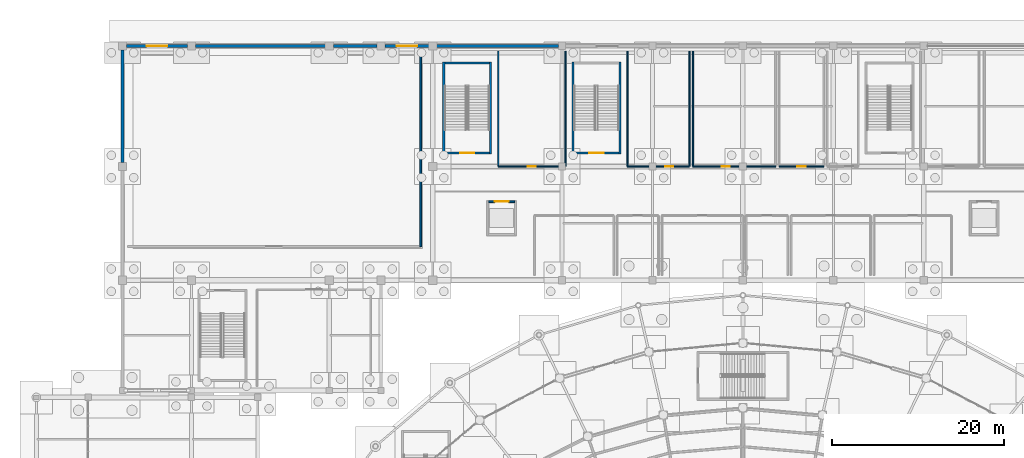
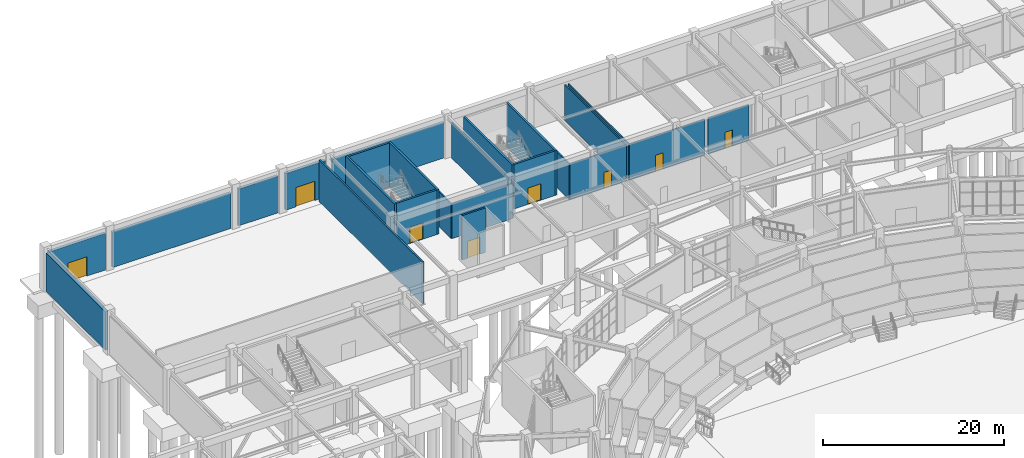
# One storey, part 93 of 121: 24 walls, 9 doors, 9 openings.
"""IFC4 building model written with IfcOpenShell, lengths in metres."""

from ifc_helpers import new_model, si_unit, direction, frame, frame_2d, origin, place, context, subcontext, project, spatial, rectangle, extrude, material, layer, layer_set, type_object, element, fill, save


model = new_model("IFC4")

# Units and contexts
model_context = context("Model", 3, precision=1e-05, world=origin(), true_north=direction((0.0, 1.0)))
body_context = subcontext(model_context, "Body", "Model", "MODEL_VIEW")
ifc_project = project(units=[si_unit("LENGTHUNIT", "METRE"), si_unit("AREAUNIT", "SQUARE_METRE"), si_unit("VOLUMEUNIT", "CUBIC_METRE"), si_unit("PLANEANGLEUNIT", "RADIAN"), si_unit("MASSUNIT", "GRAM", prefix="KILO")], contexts=[model_context])

# Site, building, storey
site_placement = place(None, origin())
site = spatial("IfcSite", under=ifc_project, at=site_placement, CompositionType="ELEMENT")
building_placement = place(site_placement, origin())
building = spatial("IfcBuilding", under=site, at=building_placement, Name="Cuetzalor Civic Arena", CompositionType="ELEMENT")
storey_placement = place(building_placement, origin())
storey = spatial("IfcBuildingStorey", under=building, at=storey_placement, Name="L00", CompositionType="ELEMENT", Elevation=0.0)

# Wall, opening, door
ifc_material_1 = material(Name="Acoustic steel-stud gypsum partition", Category="steel")
ifc_layer_1 = layer(ifc_material_1, 0.14990234375)
ifc_layer_set_1 = layer_set([ifc_layer_1], Name="Acoustic steel-stud gypsum partition")
wall_type_1 = type_object("IfcWallType", Name="AcousticGypsumPartition_150", PredefinedType="PARTITIONING", material=ifc_layer_set_1)
wall_1_placement = place(storey_placement, frame((-20.60009765625, 61.5, 0.0), z_axis=(0.0, 0.0, 1.0), x_axis=(-1.0, 0.0, 0.0)))
wall_1 = element("IfcWall", 1, at=wall_1_placement, inside=storey, type_object=wall_type_1, Name="Interior Partition IWALL:L00:0134", PredefinedType="PARTITIONING", context=body_context, shape_type="SweptSolid", body=[
    extrude(rectangle(XDim=7.7998046875, YDim=0.14990234375, at=frame_2d((3.89990234375, 0.0))), origin(), (0.0, 0.0, 1.0), 4.72509765625),
])
opening_1_placement = place(wall_1_placement, frame((3.425048828125, 0.0, 0.0)))
opening_1 = element("IfcOpeningElement", 2, at=opening_1_placement, cuts=wall_1, Name="Opening ID-03", PredefinedType="OPENING", context=body_context, shape_type="SweptSolid", body=[
    extrude(rectangle(XDim=0.949951171875, YDim=2.14990234375, at=frame_2d((0.47509765625, 1.074951171875))), frame((0.0, 0.0849609375, 0.0), z_axis=(0.0, -1.0, 0.0), x_axis=(1.0, 0.0, 0.0)), (0.0, 0.0, 1.0), 0.169921875),
])
ifc_material_2 = material(Name="Painted steel frame and solid timber leaf", Category="steel")
door_type_1 = type_object("IfcDoorType", Name="InteriorSingleDoor_950x2150", OperationType="NOTDEFINED", PredefinedType="DOOR", material=ifc_material_2)
door_1_placement = place(opening_1_placement, origin())
door_1 = element("IfcDoor", 3, at=door_1_placement, inside=storey, type_object=door_type_1, Name="Door to Athlete Locker Room Home", OperationType="SINGLE_SWING_RIGHT", OverallHeight=2.14990234375, OverallWidth=0.949951171875, PredefinedType="DOOR", context=body_context, shape_type="SweptSolid", body=[
    extrude(rectangle(XDim=0.949951171875, YDim=2.14990234375, at=frame_2d((0.47509765625, 1.074951171875))), frame((0.0, 0.02490234375, 0.0), z_axis=(0.0, -1.0, 0.0), x_axis=(1.0, 0.0, 0.0)), (0.0, 0.0, 1.0), 0.050048828125),
])
fill(opening_1, door_1)

# Walls
wall_2_placement = place(storey_placement, frame((-20.60009765625, 74.89990234375, 0.0), z_axis=(0.0, 0.0, 1.0), x_axis=(0.0, -1.0, 0.0)))
element("IfcWall", 4, at=wall_2_placement, inside=storey, type_object=wall_type_1, Name="Interior Partition IWALL:L00:0135", PredefinedType="PARTITIONING", context=body_context, shape_type="SweptSolid", body=[
    extrude(rectangle(XDim=13.39990234375, YDim=0.14990234375, at=frame_2d((6.699951171875, 0.0))), origin(), (0.0, 0.0, 1.0), 4.824951171875),
])
wall_3_placement = place(storey_placement, frame((-28.39990234375, 61.5, 0.0), z_axis=(0.0, 0.0, 1.0), x_axis=(0.0, 1.0, 0.0)))
element("IfcWall", 5, at=wall_3_placement, inside=storey, type_object=wall_type_1, Name="Interior Partition IWALL:L00:0136", PredefinedType="PARTITIONING", context=body_context, shape_type="SweptSolid", body=[
    extrude(rectangle(XDim=13.39990234375, YDim=0.14990234375, at=frame_2d((6.699951171875, 0.0))), origin(), (0.0, 0.0, 1.0), 4.72509765625),
])

# Wall, opening, door
wall_4_placement = place(storey_placement, frame((-6.199951171875, 61.5, 0.0), z_axis=(0.0, 0.0, 1.0), x_axis=(-1.0, 0.0, 0.0)))
wall_4 = element("IfcWall", 6, at=wall_4_placement, inside=storey, type_object=wall_type_1, Name="Interior Partition IWALL:L00:0137", PredefinedType="PARTITIONING", context=body_context, shape_type="SweptSolid", body=[
    extrude(rectangle(XDim=7.199951171875, YDim=0.14990234375, at=frame_2d((3.60009765625, 0.0))), origin(), (0.0, 0.0, 1.0), 4.824951171875),
])
opening_2_placement = place(wall_4_placement, frame((1.875, 0.0, 0.0)))
opening_2 = element("IfcOpeningElement", 7, at=opening_2_placement, cuts=wall_4, Name="Opening ID-03", PredefinedType="OPENING", context=body_context, shape_type="SweptSolid", body=[
    extrude(rectangle(XDim=0.949951171875, YDim=2.14990234375, at=frame_2d((0.47509765625, 1.074951171875))), frame((0.0, 0.0849609375, 0.0), z_axis=(0.0, -1.0, 0.0), x_axis=(1.0, 0.0, 0.0)), (0.0, 0.0, 1.0), 0.169921875),
])
door_2_placement = place(opening_2_placement, origin())
door_2 = element("IfcDoor", 8, at=door_2_placement, inside=storey, type_object=door_type_1, Name="Door to Athlete Shower and WC Home", OperationType="SINGLE_SWING_LEFT", OverallHeight=2.14990234375, OverallWidth=0.949951171875, PredefinedType="DOOR", context=body_context, shape_type="SweptSolid", body=[
    extrude(rectangle(XDim=0.949951171875, YDim=2.14990234375, at=frame_2d((0.47509765625, 1.074951171875))), frame((0.0, 0.02490234375, 0.0), z_axis=(0.0, -1.0, 0.0), x_axis=(1.0, 0.0, 0.0)), (0.0, 0.0, 1.0), 0.050048828125),
])
fill(opening_2, door_2)

# Walls
for number, where, z_axis, x_axis, name in (
    (9, (-6.199951171875, 74.89990234375, 0.0), (0.0, 0.0, 1.0), (0.0, -1.0, 0.0), "Interior Partition IWALL:L00:0138"),
    (10, (-13.39990234375, 61.5, 0.0), (0.0, 0.0, 1.0), (0.0, 1.0, 0.0), "Interior Partition IWALL:L00:0139"),
):
    element("IfcWall", number, at=place(storey_placement, frame(where, z_axis=z_axis, x_axis=x_axis)), inside=storey, type_object=wall_type_1, Name=name, PredefinedType="PARTITIONING", context=body_context, shape_type="SweptSolid", body=[
        extrude(rectangle(XDim=13.39990234375, YDim=0.14990234375, at=frame_2d((6.699951171875, 0.0))), origin(), (0.0, 0.0, 1.0), 4.824951171875),
    ])

# Wall, opening, door
wall_5_placement = place(storey_placement, frame((3.800048828125, 61.5, 0.0), z_axis=(0.0, 0.0, 1.0), x_axis=(-1.0, 0.0, 0.0)))
wall_5 = element("IfcWall", 11, at=wall_5_placement, inside=storey, type_object=wall_type_1, Name="Interior Partition IWALL:L00:0140", PredefinedType="PARTITIONING", context=body_context, shape_type="SweptSolid", body=[
    extrude(rectangle(XDim=9.60009765625, YDim=0.14990234375, at=frame_2d((4.800048828125, 0.0))), origin(), (0.0, 0.0, 1.0), 4.824951171875),
])
opening_3_placement = place(wall_5_placement, frame((5.324951171875, 0.0, 0.0)))
opening_3 = element("IfcOpeningElement", 12, at=opening_3_placement, cuts=wall_5, Name="Opening ID-03", PredefinedType="OPENING", context=body_context, shape_type="SweptSolid", body=[
    extrude(rectangle(XDim=0.949951171875, YDim=2.14990234375, at=frame_2d((0.47509765625, 1.074951171875))), frame((0.0, 0.0849609375, 0.0), z_axis=(0.0, -1.0, 0.0), x_axis=(1.0, 0.0, 0.0)), (0.0, 0.0, 1.0), 0.169921875),
])
door_3_placement = place(opening_3_placement, origin())
door_3 = element("IfcDoor", 13, at=door_3_placement, inside=storey, type_object=door_type_1, Name="Door to Athlete Locker Room Away", OperationType="SINGLE_SWING_RIGHT", OverallHeight=2.14990234375, OverallWidth=0.949951171875, PredefinedType="DOOR", context=body_context, shape_type="SweptSolid", body=[
    extrude(rectangle(XDim=0.949951171875, YDim=2.14990234375, at=frame_2d((0.47509765625, 1.074951171875))), frame((0.0, 0.02490234375, 0.0), z_axis=(0.0, -1.0, 0.0), x_axis=(1.0, 0.0, 0.0)), (0.0, 0.0, 1.0), 0.050048828125),
])
fill(opening_3, door_3)

# Wall
wall_6_placement = place(storey_placement, frame((-5.800048828125, 61.5, 0.0), z_axis=(0.0, 0.0, 1.0), x_axis=(0.0, 1.0, 0.0)))
element("IfcWall", 14, at=wall_6_placement, inside=storey, type_object=wall_type_1, Name="Interior Partition IWALL:L00:0142", PredefinedType="PARTITIONING", context=body_context, shape_type="SweptSolid", body=[
    extrude(rectangle(XDim=13.39990234375, YDim=0.14990234375, at=frame_2d((6.699951171875, 0.0))), origin(), (0.0, 0.0, 1.0), 4.824951171875),
])

# Wall, opening, door
wall_7_placement = place(storey_placement, frame((9.39990234375, 61.5, 0.0), z_axis=(0.0, 0.0, 1.0), x_axis=(-1.0, 0.0, 0.0)))
wall_7 = element("IfcWall", 15, at=wall_7_placement, inside=storey, type_object=wall_type_1, Name="Interior Partition IWALL:L00:0143", PredefinedType="PARTITIONING", context=body_context, shape_type="SweptSolid", body=[
    extrude(rectangle(XDim=5.199951171875, YDim=0.14990234375, at=frame_2d((2.60009765625, 0.0))), origin(), (0.0, 0.0, 1.0), 4.824951171875),
])
opening_4_placement = place(wall_7_placement, frame((2.125, 0.0, 0.0)))
opening_4 = element("IfcOpeningElement", 16, at=opening_4_placement, cuts=wall_7, Name="Opening ID-03", PredefinedType="OPENING", context=body_context, shape_type="SweptSolid", body=[
    extrude(rectangle(XDim=0.949951171875, YDim=2.14990234375, at=frame_2d((0.47509765625, 1.074951171875))), frame((0.0, 0.0849609375, 0.0), z_axis=(0.0, -1.0, 0.0), x_axis=(1.0, 0.0, 0.0)), (0.0, 0.0, 1.0), 0.169921875),
])
door_4_placement = place(opening_4_placement, origin())
door_4 = element("IfcDoor", 17, at=door_4_placement, inside=storey, type_object=door_type_1, Name="Door to Athlete Shower and WC Away", OperationType="SINGLE_SWING_LEFT", OverallHeight=2.14990234375, OverallWidth=0.949951171875, PredefinedType="DOOR", context=body_context, shape_type="SweptSolid", body=[
    extrude(rectangle(XDim=0.949951171875, YDim=2.14990234375, at=frame_2d((0.47509765625, 1.074951171875))), frame((0.0, 0.02490234375, 0.0), z_axis=(0.0, -1.0, 0.0), x_axis=(1.0, 0.0, 0.0)), (0.0, 0.0, 1.0), 0.050048828125),
])
fill(opening_4, door_4)

ifc_material_3 = material(Name="Dark volcanic basalt ashlar on Concrete C35/45", Category="masonry")
ifc_layer_2 = layer(ifc_material_3, 0.35009765625)
ifc_layer_set_2 = layer_set([ifc_layer_2], Name="Dark volcanic basalt ashlar on Concrete C35/45")
wall_type_2 = type_object("IfcWallType", Name="BasaltAshlarWall_350", PredefinedType="SOLIDWALL", material=ifc_layer_set_2)
wall_8_placement = place(storey_placement, frame((-71.54296875, 75.5, 0.0), z_axis=(0.0, 0.0, 1.0), x_axis=(1.0, 0.0, 0.0)))
wall_8 = element("IfcWall", 18, at=wall_8_placement, inside=storey, type_object=wall_type_2, Name="North Basalt Facade Wall L00-187", PredefinedType="SOLIDWALL", context=body_context, shape_type="SweptSolid", body=[
    extrude(rectangle(XDim=7.0859375, YDim=0.35009765625, at=frame_2d((3.54296875, 0.0))), origin(), (0.0, 0.0, 1.0), 4.93994140625),
])
opening_5_placement = place(wall_8_placement, frame((2.343017578125, 0.0, 0.0)))
opening_5 = element("IfcOpeningElement", 19, at=opening_5_placement, cuts=wall_8, Name="Opening ED-08", PredefinedType="OPENING", context=body_context, shape_type="SweptSolid", body=[
    extrude(rectangle(XDim=2.39990234375, YDim=2.60009765625, at=frame_2d((1.199951171875, 1.300048828125))), frame((0.0, 0.18505859375, 0.0), z_axis=(0.0, -1.0, 0.0), x_axis=(1.0, 0.0, 0.0)), (0.0, 0.0, 1.0), 0.3701171875),
])
ifc_material_4 = material(Name="Thermally broken bronze steel and laminated glass", Category="steel")
door_type_2 = type_object("IfcDoorType", Name="PedestrianExitPortal_2400x2600", OperationType="DOUBLE_DOOR_SINGLE_SWING", PredefinedType="DOOR", material=ifc_material_4)
door_5_placement = place(opening_5_placement, origin())
door_5 = element("IfcDoor", 20, at=door_5_placement, inside=storey, type_object=door_type_2, Name="Main entrance E17", OperationType="DOUBLE_DOOR_SINGLE_SWING", OverallHeight=2.60009765625, OverallWidth=2.39990234375, PredefinedType="DOOR", context=body_context, shape_type="SweptSolid", body=[
    extrude(rectangle(XDim=2.39990234375, YDim=2.60009765625, at=frame_2d((1.199951171875, 1.300048828125))), frame((0.0, 0.02490234375, 0.0), z_axis=(0.0, -1.0, 0.0), x_axis=(1.0, 0.0, 0.0)), (0.0, 0.0, 1.0), 0.050048828125),
])
fill(opening_5, door_5)

# Walls
wall_9_placement = place(storey_placement, frame((-63.54296875, 75.5, 0.0), z_axis=(0.0, 0.0, 1.0), x_axis=(1.0, 0.0, 0.0)))
element("IfcWall", 21, at=wall_9_placement, inside=storey, type_object=wall_type_2, Name="North Basalt Facade Wall L00-188", PredefinedType="SOLIDWALL", context=body_context, shape_type="SweptSolid", body=[
    extrude(rectangle(XDim=15.0859375, YDim=0.35009765625, at=frame_2d((7.54296875, 0.0))), origin(), (0.0, 0.0, 1.0), 4.739990234375),
])
wall_10_placement = place(storey_placement, frame((-47.54296875, 75.5, 0.0), z_axis=(0.0, 0.0, 1.0), x_axis=(1.0, 0.0, 0.0)))
element("IfcWall", 22, at=wall_10_placement, inside=storey, type_object=wall_type_2, Name="North Basalt Facade Wall L00-189", PredefinedType="SOLIDWALL", context=body_context, shape_type="SweptSolid", body=[
    extrude(rectangle(XDim=5.0859375, YDim=0.35009765625, at=frame_2d((2.54296875, 0.0))), origin(), (0.0, 0.0, 1.0), 4.93994140625),
])

# Wall, opening, door
wall_11_placement = place(storey_placement, frame((-41.54296875, 75.5, 0.0), z_axis=(0.0, 0.0, 1.0), x_axis=(1.0, 0.0, 0.0)))
wall_11 = element("IfcWall", 23, at=wall_11_placement, inside=storey, type_object=wall_type_2, Name="North Basalt Facade Wall L00-190", PredefinedType="SOLIDWALL", context=body_context, shape_type="SweptSolid", body=[
    extrude(rectangle(XDim=5.0859375, YDim=0.35009765625, at=frame_2d((2.54296875, 0.0))), origin(), (0.0, 0.0, 1.0), 4.93994140625),
])
opening_6_placement = place(wall_11_placement, frame((1.343017578125, 0.0, 0.0)))
opening_6 = element("IfcOpeningElement", 24, at=opening_6_placement, cuts=wall_11, Name="Opening ED-08", PredefinedType="OPENING", context=body_context, shape_type="SweptSolid", body=[
    extrude(rectangle(XDim=2.39990234375, YDim=2.60009765625, at=frame_2d((1.199951171875, 1.300048828125))), frame((0.0, 0.18505859375, 0.0), z_axis=(0.0, -1.0, 0.0), x_axis=(1.0, 0.0, 0.0)), (0.0, 0.0, 1.0), 0.3701171875),
])
door_6_placement = place(opening_6_placement, origin())
door_6 = element("IfcDoor", 25, at=door_6_placement, inside=storey, type_object=door_type_2, Name="Main entrance E18", OperationType="DOUBLE_DOOR_SINGLE_SWING", OverallHeight=2.60009765625, OverallWidth=2.39990234375, PredefinedType="DOOR", context=body_context, shape_type="SweptSolid", body=[
    extrude(rectangle(XDim=2.39990234375, YDim=2.60009765625, at=frame_2d((1.199951171875, 1.300048828125))), frame((0.0, 0.02490234375, 0.0), z_axis=(0.0, -1.0, 0.0), x_axis=(1.0, 0.0, 0.0)), (0.0, 0.0, 1.0), 0.050048828125),
])
fill(opening_6, door_6)

# Walls
wall_12_placement = place(storey_placement, frame((-35.54296875, 75.5, 0.0), z_axis=(0.0, 0.0, 1.0), x_axis=(1.0, 0.0, 0.0)))
element("IfcWall", 26, at=wall_12_placement, inside=storey, type_object=wall_type_2, Name="North Basalt Facade Wall L00-191", PredefinedType="SOLIDWALL", context=body_context, shape_type="SweptSolid", body=[
    extrude(rectangle(XDim=14.135986328125, YDim=0.35009765625, at=frame_2d((7.06787109375, 0.0))), origin(), (0.0, 0.0, 1.0), 4.739990234375),
])
wall_13_placement = place(storey_placement, frame((-72.0, 61.95703125, 0.0), z_axis=(0.0, 0.0, 1.0), x_axis=(0.0, 1.0, 0.0)))
element("IfcWall", 27, at=wall_13_placement, inside=storey, type_object=wall_type_2, Name="North Wing West Basalt Wall L00-237", PredefinedType="SOLIDWALL", context=body_context, shape_type="SweptSolid", body=[
    extrude(rectangle(XDim=13.0859375, YDim=0.35009765625, at=frame_2d((6.54296875, 0.0))), origin(), (0.0, 0.0, 1.0), 5.156982421875),
])
ifc_material_5 = material(Name="Concrete C40/50", Category="concrete")
ifc_layer_3 = layer(ifc_material_5, 0.25)
ifc_layer_set_3 = layer_set([ifc_layer_3], Name="Concrete C40/50")
wall_type_3 = type_object("IfcWallType", Name="ConcreteCoreShearWall_250", PredefinedType="SHEAR", material=ifc_layer_set_3)
wall_14_placement = place(storey_placement, frame((-34.72509765625, 62.949951171875, 0.0), z_axis=(0.0, 0.0, 1.0), x_axis=(0.0, 1.0, 0.0)))
element("IfcWall", 28, at=wall_14_placement, inside=storey, type_object=wall_type_3, Name="Stair Core Shear Wall ST-24-L00-W", PredefinedType="SHEAR", context=body_context, shape_type="SweptSolid", body=[
    extrude(rectangle(XDim=10.699951171875, YDim=0.25, at=frame_2d((5.35009765625, 0.0))), origin(), (0.0, 0.0, 1.0), 6.0),
])
wall_15_placement = place(storey_placement, frame((-34.60009765625, 73.52490234375, 0.0), z_axis=(0.0, 0.0, 1.0), x_axis=(1.0, 0.0, 0.0)))
element("IfcWall", 29, at=wall_15_placement, inside=storey, type_object=wall_type_3, Name="Stair Core Shear Wall ST-24-L00-N", PredefinedType="SHEAR", context=body_context, shape_type="SweptSolid", body=[
    extrude(rectangle(XDim=5.2001953125, YDim=0.25, at=frame_2d((2.60009765625, 0.0))), origin(), (0.0, 0.0, 1.0), 6.0),
])
wall_16_placement = place(storey_placement, frame((-29.27490234375, 73.64990234375, 0.0), z_axis=(0.0, 0.0, 1.0), x_axis=(0.0, -1.0, 0.0)))
element("IfcWall", 30, at=wall_16_placement, inside=storey, type_object=wall_type_3, Name="Stair Core Shear Wall ST-24-L00-E", PredefinedType="SHEAR", context=body_context, shape_type="SweptSolid", body=[
    extrude(rectangle(XDim=10.699951171875, YDim=0.25, at=frame_2d((5.35009765625, 0.0))), origin(), (0.0, 0.0, 1.0), 6.0),
])

# Wall, opening, door
wall_17_placement = place(storey_placement, frame((-29.39990234375, 63.074951171875, 0.0), z_axis=(0.0, 0.0, 1.0), x_axis=(-1.0, 0.0, 0.0)))
wall_17 = element("IfcWall", 31, at=wall_17_placement, inside=storey, type_object=wall_type_3, Name="Stair Core Shear Wall ST-24-L00-S", PredefinedType="SHEAR", context=body_context, shape_type="SweptSolid", body=[
    extrude(rectangle(XDim=5.2001953125, YDim=0.25, at=frame_2d((2.60009765625, 0.0))), origin(), (0.0, 0.0, 1.0), 6.0),
])
opening_7_placement = place(wall_17_placement, frame((1.77490234375, 0.0, 0.0)))
opening_7 = element("IfcOpeningElement", 32, at=opening_7_placement, cuts=wall_17, Name="Opening FD-04", PredefinedType="OPENING", context=body_context, shape_type="SweptSolid", body=[
    extrude(rectangle(XDim=1.64990234375, YDim=2.199951171875, at=frame_2d((0.824951171875, 1.10009765625))), frame((0.0, 0.135009765625, 0.0), z_axis=(0.0, -1.0, 0.0), x_axis=(1.0, 0.0, 0.0)), (0.0, 0.0, 1.0), 0.27001953125),
])
ifc_material_6 = material(Name="Fire-rated steel stair exit double door", Category="steel")
door_type_3 = type_object("IfcDoorType", Name="StairFireDoubleDoor_1650x2200", OperationType="DOUBLE_DOOR_SINGLE_SWING", PredefinedType="DOOR", material=ifc_material_6)
door_7_placement = place(opening_7_placement, origin())
door_7 = element("IfcDoor", 33, at=door_7_placement, inside=storey, type_object=door_type_3, Name="Fire Stair Door ST-24 L00", OperationType="DOUBLE_DOOR_SINGLE_SWING", OverallHeight=2.199951171875, OverallWidth=1.64990234375, PredefinedType="DOOR", context=body_context, shape_type="SweptSolid", body=[
    extrude(rectangle(XDim=1.64990234375, YDim=2.199951171875, at=frame_2d((0.824951171875, 1.10009765625))), frame((0.0, 0.02490234375, 0.0), z_axis=(0.0, -1.0, 0.0), x_axis=(1.0, 0.0, 0.0)), (0.0, 0.0, 1.0), 0.050048828125),
])
fill(opening_7, door_7)

# Walls
for number, where, z_axis, x_axis, name in (
    (34, (-19.72509765625, 62.949951171875, 0.0), (0.0, 0.0, 1.0), (0.0, 1.0, 0.0), "Stair Core Shear Wall ST-25-L00-W"),
    (35, (-14.27490234375, 73.64990234375, 0.0), (0.0, 0.0, 1.0), (0.0, -1.0, 0.0), "Stair Core Shear Wall ST-25-L00-E"),
):
    element("IfcWall", number, at=place(storey_placement, frame(where, z_axis=z_axis, x_axis=x_axis)), inside=storey, type_object=wall_type_3, Name=name, PredefinedType="SHEAR", context=body_context, shape_type="SweptSolid", body=[
        extrude(rectangle(XDim=10.699951171875, YDim=0.25, at=frame_2d((5.35009765625, 0.0))), origin(), (0.0, 0.0, 1.0), 6.0),
    ])

# Wall, opening, door
wall_18_placement = place(storey_placement, frame((-14.39990234375, 63.074951171875, 0.0), z_axis=(0.0, 0.0, 1.0), x_axis=(-1.0, 0.0, 0.0)))
wall_18 = element("IfcWall", 36, at=wall_18_placement, inside=storey, type_object=wall_type_3, Name="Stair Core Shear Wall ST-25-L00-S", PredefinedType="SHEAR", context=body_context, shape_type="SweptSolid", body=[
    extrude(rectangle(XDim=5.2001953125, YDim=0.25, at=frame_2d((2.60009765625, 0.0))), origin(), (0.0, 0.0, 1.0), 6.0),
])
opening_8_placement = place(wall_18_placement, frame((1.77490234375, 0.0, 0.0)))
opening_8 = element("IfcOpeningElement", 37, at=opening_8_placement, cuts=wall_18, Name="Opening FD-04", PredefinedType="OPENING", context=body_context, shape_type="SweptSolid", body=[
    extrude(rectangle(XDim=1.64990234375, YDim=2.199951171875, at=frame_2d((0.824951171875, 1.10009765625))), frame((0.0, 0.135009765625, 0.0), z_axis=(0.0, -1.0, 0.0), x_axis=(1.0, 0.0, 0.0)), (0.0, 0.0, 1.0), 0.27001953125),
])
door_8_placement = place(opening_8_placement, origin())
door_8 = element("IfcDoor", 38, at=door_8_placement, inside=storey, type_object=door_type_3, Name="Fire Stair Door ST-25 L00", OperationType="DOUBLE_DOOR_SINGLE_SWING", OverallHeight=2.199951171875, OverallWidth=1.64990234375, PredefinedType="DOOR", context=body_context, shape_type="SweptSolid", body=[
    extrude(rectangle(XDim=1.64990234375, YDim=2.199951171875, at=frame_2d((0.824951171875, 1.10009765625))), frame((0.0, 0.02490234375, 0.0), z_axis=(0.0, -1.0, 0.0), x_axis=(1.0, 0.0, 0.0)), (0.0, 0.0, 1.0), 0.050048828125),
])
fill(opening_8, door_8)

# Wall
ifc_material_7 = material(Name="Fire-rated masonry and gypsum partition", Category="masonry")
ifc_layer_4 = layer(ifc_material_7, 0.199951171875)
ifc_layer_set_4 = layer_set([ifc_layer_4], Name="Fire-rated masonry and gypsum partition")
wall_type_4 = type_object("IfcWallType", Name="FireCompartmentWall_200", PredefinedType="PARTITIONING", material=ifc_layer_set_4)
wall_19_placement = place(storey_placement, frame((-37.39990234375, 74.89990234375, 0.0), z_axis=(0.0, 0.0, 1.0), x_axis=(0.0, -1.0, 0.0)))
element("IfcWall", 39, at=wall_19_placement, inside=storey, type_object=wall_type_4, Name="Interior Partition IWALL:L00:0130", PredefinedType="PARTITIONING", context=body_context, shape_type="SweptSolid", body=[
    extrude(rectangle(XDim=22.699951171875, YDim=0.199951171875, at=frame_2d((11.35009765625, 0.0))), origin(), (0.0, 0.0, 1.0), 5.639892578125),
])

# Wall, opening, door
ifc_material_8 = material(Name="Concrete C40/50", Category="concrete")
ifc_layer_5 = layer(ifc_material_8, 0.219970703125)
ifc_layer_set_5 = layer_set([ifc_layer_5], Name="Concrete C40/50")
wall_type_5 = type_object("IfcWallType", Name="LiftShaftShearWall_220", PredefinedType="SHEAR", material=ifc_layer_set_5)
wall_20_placement = place(storey_placement, frame((-29.5, 57.409912109375, 0.0), z_axis=(0.0, 0.0, 1.0), x_axis=(1.0, 0.0, 0.0)))
wall_20 = element("IfcWall", 40, at=wall_20_placement, inside=storey, type_object=wall_type_5, Name="Lift Shaft Wall LS-01-L00-N", PredefinedType="SHEAR", context=body_context, shape_type="SweptSolid", body=[
    extrude(rectangle(XDim=3.0, YDim=0.219970703125, at=frame_2d((1.5, 0.0))), origin(), (0.0, 0.0, 1.0), 6.0),
])
opening_9_placement = place(wall_20_placement, frame((0.699951171875, 0.0, 0.0)))
opening_9 = element("IfcOpeningElement", 41, at=opening_9_placement, cuts=wall_20, Name="Opening LD-03", PredefinedType="OPENING", context=body_context, shape_type="SweptSolid", body=[
    extrude(rectangle(XDim=1.60009765625, YDim=2.300048828125, at=frame_2d((0.800048828125, 1.14990234375))), frame((0.0, 0.1201171875, 0.0), z_axis=(0.0, -1.0, 0.0), x_axis=(1.0, 0.0, 0.0)), (0.0, 0.0, 1.0), 0.239990234375),
])
ifc_material_9 = material(Name="Heavy freight stainless steel sliding lift landing door", Category="steel")
door_type_4 = type_object("IfcDoorType", Name="LiftLandingSlidingDoor_1600x2300", OperationType="SLIDING_TO_LEFT", PredefinedType="DOOR", material=ifc_material_9)
door_9_placement = place(opening_9_placement, origin())
door_9 = element("IfcDoor", 42, at=door_9_placement, inside=storey, type_object=door_type_4, Name="Lift Landing Sliding Door LS-01 L00", OperationType="SLIDING_TO_LEFT", OverallHeight=2.300048828125, OverallWidth=1.60009765625, PredefinedType="DOOR", context=body_context, shape_type="SweptSolid", body=[
    extrude(rectangle(XDim=1.60009765625, YDim=2.300048828125, at=frame_2d((0.800048828125, 1.14990234375))), frame((0.0, 0.02490234375, 0.0), z_axis=(0.0, -1.0, 0.0), x_axis=(1.0, 0.0, 0.0)), (0.0, 0.0, 1.0), 0.050048828125),
])
fill(opening_9, door_9)

save(model, "model.ifc")
